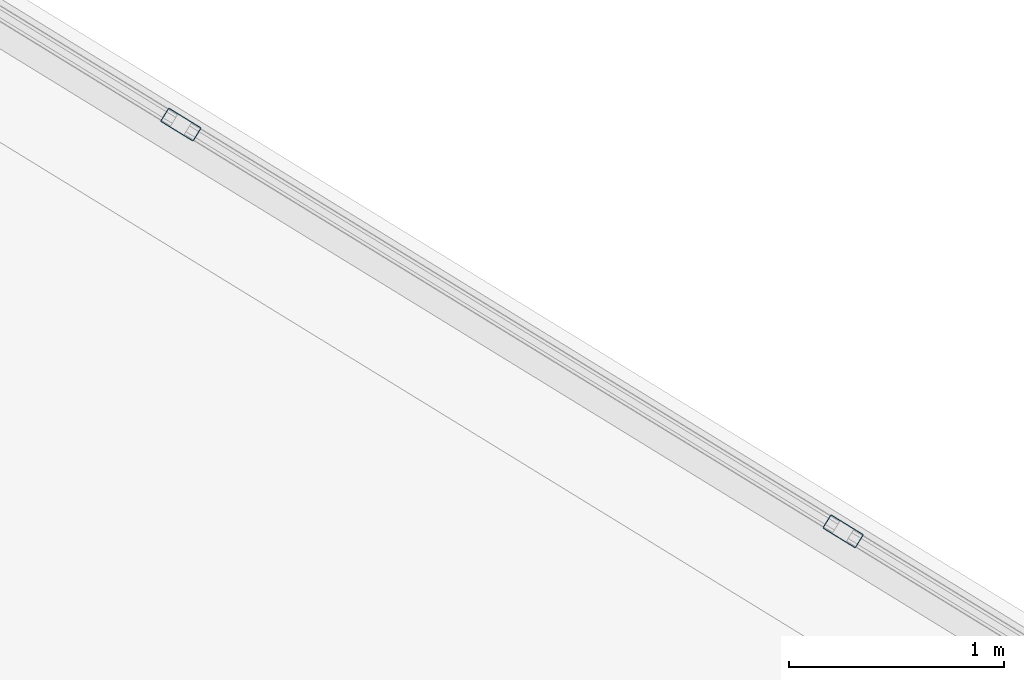
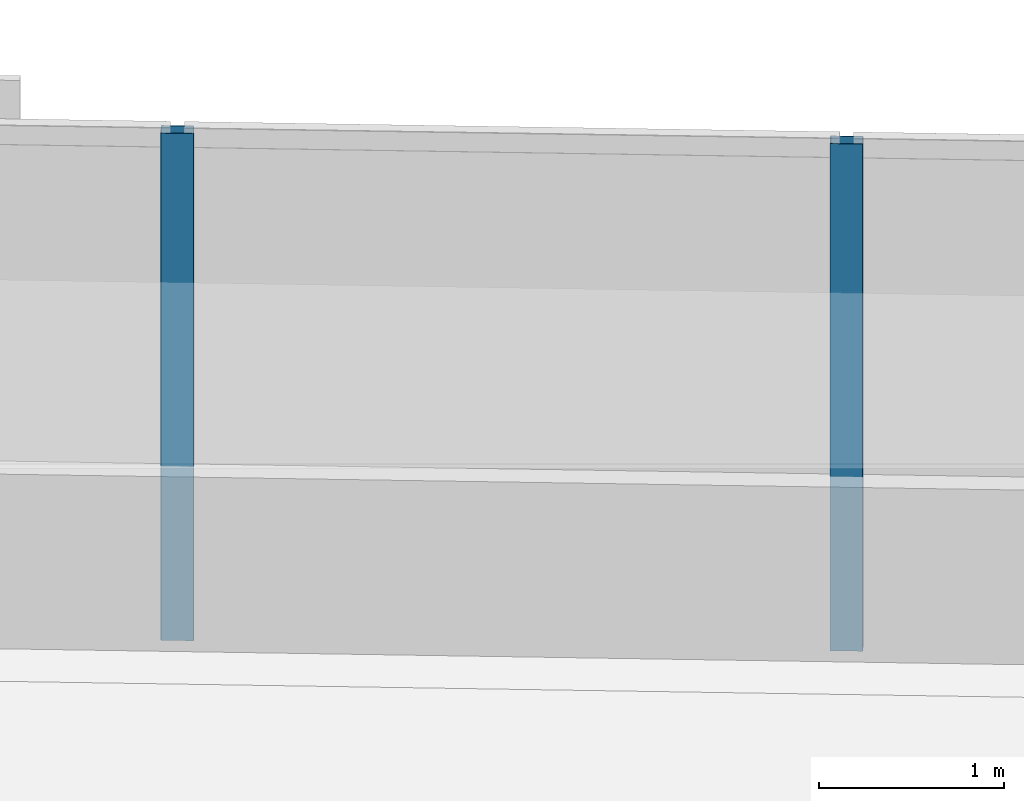
# One storey, part 8 of 19: 2 members, 1 element without a shape of its own.
"""IFC4 building model written with IfcOpenShell, lengths in metres."""

from ifc_helpers import new_model, si_unit, direction, frame, origin, origin_2d, place, context, subcontext, project, spatial, hollow_rectangle, extrude, material, material_profile, profile_set, type_object, element, aggregate, save


model = new_model("IFC4")

# Units and contexts
model_context = context("Model", 3, precision=1e-05, world=origin(), true_north=direction((0.0, 1.0)))
body_context = subcontext(model_context, "Body", "Model", "MODEL_VIEW")
ifc_project = project(units=[si_unit("LENGTHUNIT", "METRE"), si_unit("AREAUNIT", "SQUARE_METRE"), si_unit("VOLUMEUNIT", "CUBIC_METRE"), si_unit("PLANEANGLEUNIT", "RADIAN"), si_unit("MASSUNIT", "GRAM", prefix="KILO")], contexts=[model_context])

# Site, building, storey
site_placement = place(None, origin())
site = spatial("IfcSite", under=ifc_project, at=site_placement, CompositionType="ELEMENT")
building_placement = place(site_placement, origin())
building = spatial("IfcBuilding", under=site, at=building_placement, Name="Narakoshi Arena Tower", CompositionType="ELEMENT")
storey_placement = place(building_placement, frame((0.0, 0.0, 117.300048828125)))
storey = spatial("IfcBuildingStorey", under=building, at=storey_placement, Name="L31", CompositionType="ELEMENT", Elevation=117.300048828125)

# Curtain wall, members
ifc_material = material(Name="Anodised bronze aluminium 6063-T6", Category="aluminium")
curtain_wall_type = type_object("IfcCurtainWallType", Name="CW-HYP-LOW", PredefinedType="NOTDEFINED", material=ifc_material)
curtain_wall_placement = place(storey_placement, origin())
curtain_wall = element("IfcCurtainWall", 1, at=curtain_wall_placement, inside=storey, type_object=curtain_wall_type, Name="L31 Folded Hypotenuse Curtain Wall 1-1", PredefinedType="NOTDEFINED")
ifc_material_profile = material_profile(ifc_material, hollow_rectangle(XDim=0.074951171875, YDim=0.179931640625, WallThickness=0.00390625, OuterFilletRadius=0.0048828125, at=origin_2d()), Name="MUL180x75x4")
ifc_profile_set = profile_set([ifc_material_profile], Name="Anodised bronze aluminium 6063-T6")
member_type = type_object("IfcMemberType", Name="MEM-MUL-180", PredefinedType="MULLION", material=ifc_profile_set)
member_1_placement = place(storey_placement, frame((109.9638671875, 49.1982421875, 0.0), z_axis=(0.0, 0.0, 1.0), x_axis=(-0.523357676535, -0.852113104237, 0.0)))
member_1 = element("IfcMember", 2, at=member_1_placement, type_object=member_type, Name="CW-01 mullion 4", PredefinedType="MULLION", context=body_context, shape_type="SweptSolid", body=[
    extrude(hollow_rectangle(XDim=0.074951171875, YDim=0.179931640625, WallThickness=0.00390625, OuterFilletRadius=0.0048828125, at=origin_2d()), origin(), (0.0, 0.0, 1.0), 3.33984375),
])
member_2_placement = place(storey_placement, frame((106.886962890625, 51.088134765625, 0.0), z_axis=(0.0, 0.0, 1.0), x_axis=(-0.523357676535, -0.852113104237, 0.0)))
member_2 = element("IfcMember", 3, at=member_2_placement, type_object=member_type, Name="CW-01 mullion 5", PredefinedType="MULLION", context=body_context, shape_type="SweptSolid", body=[
    extrude(hollow_rectangle(XDim=0.074951171875, YDim=0.179931640625, WallThickness=0.00390625, OuterFilletRadius=0.0048828125, at=origin_2d()), origin(), (0.0, 0.0, 1.0), 3.33984375),
])
aggregate(curtain_wall, [member_1, member_2])

save(model, "model.ifc")
